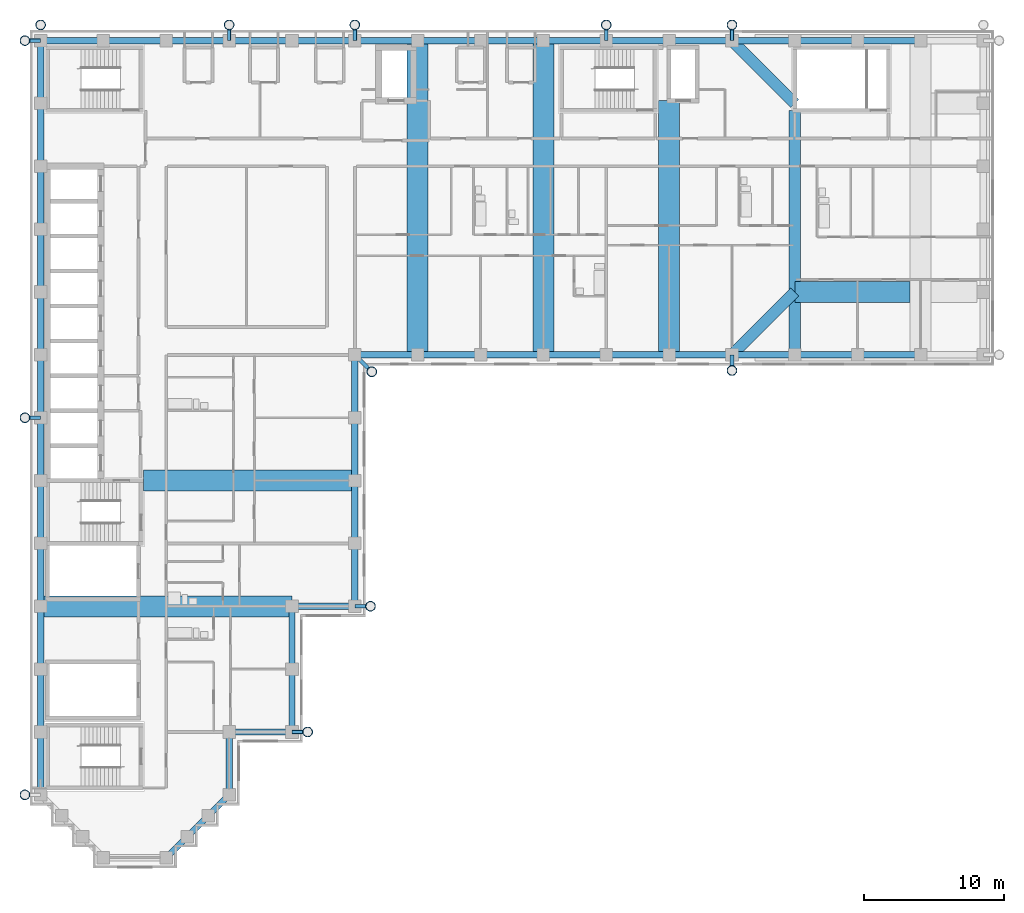
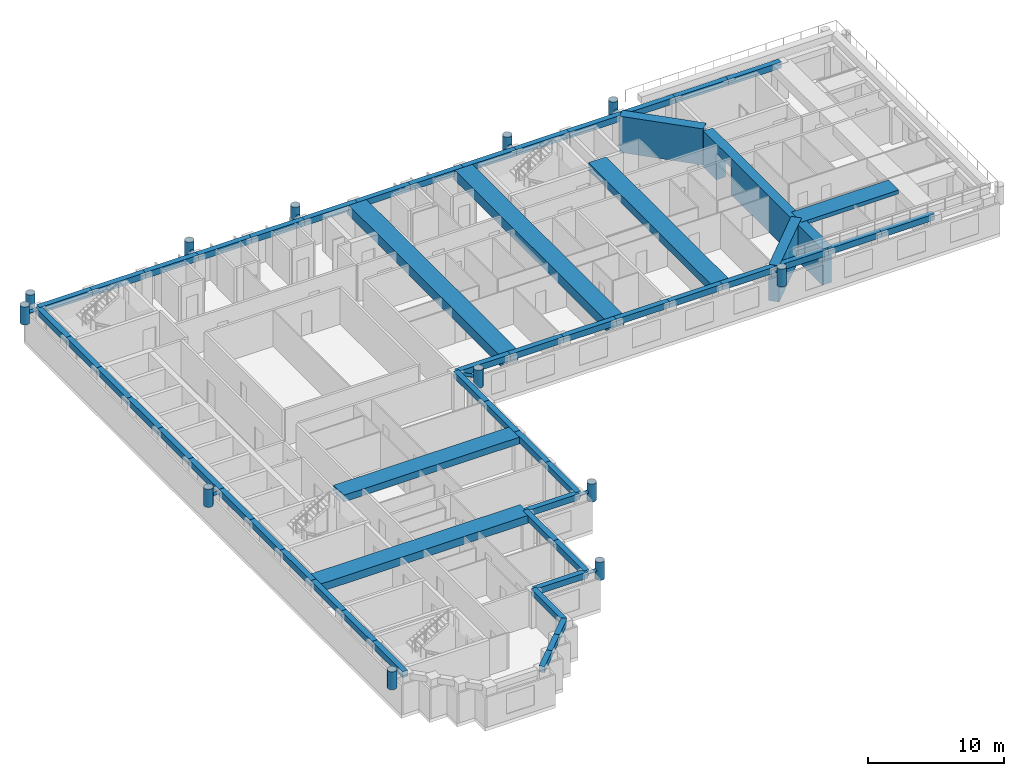
# One storey, part 2 of 14: 56 beams, 22 members.
"""IFC4 building model written with IfcOpenShell, lengths in metres."""

from ifc_helpers import new_model, entity, si_unit, direction, frame, origin, origin_2d, place, context, subcontext, project, spatial, rectangle, hollow_circle, extrude, boolean, material, material_profile, profile_set, type_object, element, save


model = new_model("IFC4")

# Units and contexts
model_context = context("Model", 3, precision=1e-05, world=origin(), true_north=direction((0.0, 1.0)))
body_context = subcontext(model_context, "Body", "Model", "MODEL_VIEW")
ifc_project = project(units=[si_unit("LENGTHUNIT", "METRE"), si_unit("AREAUNIT", "SQUARE_METRE"), si_unit("VOLUMEUNIT", "CUBIC_METRE"), si_unit("PLANEANGLEUNIT", "RADIAN"), si_unit("MASSUNIT", "GRAM", prefix="KILO")], contexts=[model_context])

# Site, building, storey
site_placement = place(None, origin())
site = spatial("IfcSite", under=ifc_project, at=site_placement, CompositionType="ELEMENT")
building_placement = place(site_placement, origin())
building = spatial("IfcBuilding", under=site, at=building_placement, Name="Firuza Court", CompositionType="ELEMENT")
storey_placement = place(building_placement, frame((0.0, 0.0, 182.60009765625)))
storey = spatial("IfcBuildingStorey", under=building, at=storey_placement, Name="L46", CompositionType="ELEMENT", Elevation=182.60009765625)

# Beams
ifc_material_1 = material(Name="Concrete C40/50", Category="concrete")
ifc_material_profile_1 = material_profile(ifc_material_1, rectangle(XDim=1.5, YDim=0.35009765625, at=origin_2d()), Name="RC 1500x350")
ifc_profile_set_1 = profile_set([ifc_material_profile_1], Name="Concrete C40/50")
beam_type_1 = type_object("IfcBeamType", Name="Band beam RC 1500x350 C40/50", PredefinedType="BEAM", material=ifc_profile_set_1)
beam_1_placement = place(storey_placement, frame((54.0, 40.5, 3.074951171875), z_axis=(1.0, 0.0, 0.0), x_axis=(0.0, 1.0, 0.0)))
element("IfcBeam", 1, at=beam_1_placement, inside=storey, type_object=beam_type_1, Name="Band beam FB7 level L47", PredefinedType="BEAM", context=body_context, shape_type="SweptSolid", body=[
    extrude(rectangle(XDim=1.5, YDim=0.35009765625, at=origin_2d()), origin(), (0.0, 0.0, 1.0), 8.25),
])
ifc_material_2 = material(Name="Concrete C40/50", Category="concrete")
ifc_material_profile_2 = material_profile(ifc_material_2, rectangle(XDim=1.5, YDim=0.60009765625, at=origin_2d()), Name="RC 1500x600")
ifc_profile_set_2 = profile_set([ifc_material_profile_2], Name="Concrete C40/50")
beam_type_2 = type_object("IfcBeamType", Name="Band beam RC 1500x600 C40/50", PredefinedType="BEAM", material=ifc_profile_set_2)
beam_2_placement = place(storey_placement, frame((22.5, 27.0, 2.949951171875), z_axis=(-1.0, 0.0, 0.0), x_axis=(0.0, -1.0, 0.0)))
element("IfcBeam", 2, at=beam_2_placement, inside=storey, type_object=beam_type_2, Name="Band beam FB3 level L47", PredefinedType="BEAM", context=body_context, shape_type="SweptSolid", body=[
    extrude(rectangle(XDim=1.5, YDim=0.60009765625, at=origin_2d()), origin(), (0.0, 0.0, 1.0), 15.14990234375),
])
ifc_material_3 = material(Name="Concrete C40/50", Category="concrete")
ifc_material_profile_3 = material_profile(ifc_material_3, rectangle(XDim=1.5, YDim=0.699951171875, at=origin_2d()), Name="RC 1500x700")
ifc_profile_set_3 = profile_set([ifc_material_profile_3], Name="Concrete C40/50")
beam_type_3 = type_object("IfcBeamType", Name="Band beam RC 1500x700 C40/50", PredefinedType="BEAM", material=ifc_profile_set_3)
beam_3_placement = place(storey_placement, frame((0.0, 18.0, 2.89990234375), z_axis=(1.0, 0.0, 0.0), x_axis=(0.0, 1.0, 0.0)))
element("IfcBeam", 3, at=beam_3_placement, inside=storey, type_object=beam_type_3, Name="Band beam FB1 level L47", PredefinedType="BEAM", context=body_context, shape_type="SweptSolid", body=[
    extrude(rectangle(XDim=1.5, YDim=0.699951171875, at=origin_2d()), origin(), (0.0, 0.0, 1.0), 18.0),
])
beam_4_placement = place(storey_placement, frame((45.0, 36.0, 2.89990234375), z_axis=(0.0, 1.0, 0.0), x_axis=(-1.0, 0.0, 0.0)))
element("IfcBeam", 4, at=beam_4_placement, inside=storey, type_object=beam_type_3, Name="Band beam FB1 level L47", PredefinedType="BEAM", context=body_context, shape_type="SweptSolid", body=[
    extrude(rectangle(XDim=1.5, YDim=0.699951171875, at=origin_2d()), origin(), (0.0, 0.0, 1.0), 18.199951171875),
])
ifc_material_4 = material(Name="Concrete C40/50", Category="concrete")
ifc_material_profile_4 = material_profile(ifc_material_4, rectangle(XDim=1.5, YDim=0.89990234375, at=origin_2d()), Name="RC 1500x900")
ifc_profile_set_4 = profile_set([ifc_material_profile_4], Name="Concrete C40/50")
beam_type_4 = type_object("IfcBeamType", Name="Band beam RC 1500x900 C40/50", PredefinedType="BEAM", material=ifc_profile_set_4)
for number, where, z_axis, x_axis, name in (
    (5, (27.0, 36.0, 2.7998046875), (0.0, 1.0, 0.0), (-1.0, 0.0, 0.0), "Band beam FB2 level L47"),
    (6, (36.0, 36.0, 2.7998046875), (0.0, 1.0, 0.0), (-1.0, 0.0, 0.0), "Band beam FB2 level L47"),
):
    element("IfcBeam", number, at=place(storey_placement, frame(where, z_axis=z_axis, x_axis=x_axis)), inside=storey, type_object=beam_type_4, Name=name, PredefinedType="BEAM", context=body_context, shape_type="SweptSolid", body=[
        extrude(rectangle(XDim=1.5, YDim=0.89990234375, at=origin_2d()), origin(), (0.0, 0.0, 1.0), 22.5),
    ])

# Members
ifc_material_5 = material(Name="Steel S355", Category="steel")
ifc_material_profile_5 = material_profile(ifc_material_5, hollow_circle(Radius=0.35546875, WallThickness=0.030029296875, at=origin_2d()), Name="CHS 711x30")
ifc_profile_set_5 = profile_set([ifc_material_profile_5], Name="Steel S355")
member_type_1 = type_object("IfcMemberType", Name="Diagrid node CHS 711x30 S355", PredefinedType="USERDEFINED", material=ifc_profile_set_5)
for number, where, z_axis, x_axis, name in (
    (7, (-1.1201171875, 4.5, 2.199951171875), (0.0, 0.0, 1.0), (1.0, 0.0, 0.0), "Diagrid node level L46"),
    (8, (-1.1201171875, 31.5, 2.199951171875), (0.0, 0.0, 1.0), (1.0, 0.0, 0.0), "Diagrid node level L46"),
    (9, (-1.1201171875, 58.5, 2.199951171875), (0.0, 0.0, 1.0), (1.0, 0.0, 0.0), "Diagrid node level L46"),
    (10, (0.0, 59.6201171875, 2.199951171875), (0.0, 0.0, 1.0), (1.0, 0.0, 0.0), "Diagrid node level L46"),
    (11, (13.5, 59.6201171875, 2.199951171875), (0.0, 0.0, 1.0), (1.0, 0.0, 0.0), "Diagrid node level L46"),
    (12, (19.1201171875, 9.0, 2.199951171875), (0.0, 0.0, 1.0), (1.0, 0.0, 0.0), "Diagrid node level L46"),
    (13, (22.5, 59.6201171875, 2.199951171875), (0.0, 0.0, 1.0), (1.0, 0.0, 0.0), "Diagrid node level L46"),
    (14, (23.6201171875, 18.0, 2.199951171875), (0.0, 0.0, 1.0), (1.0, 0.0, 0.0), "Diagrid node level L46"),
    (15, (23.7099609375, 34.7900390625, 2.199951171875), (0.0, 0.0, 1.0), (1.0, 0.0, 0.0), "Diagrid node level L46"),
    (16, (40.5, 59.6201171875, 2.199951171875), (0.0, 0.0, 1.0), (1.0, 0.0, 0.0), "Diagrid node level L46"),
    (17, (49.5, 34.8798828125, 2.199951171875), (0.0, 0.0, 1.0), (1.0, 0.0, 0.0), "Diagrid node level L46"),
    (18, (49.5, 59.6201171875, 2.199951171875), (0.0, 0.0, 1.0), (1.0, 0.0, 0.0), "Diagrid node level L46"),
):
    element("IfcMember", number, at=place(storey_placement, frame(where, z_axis=z_axis, x_axis=x_axis)), inside=storey, type_object=member_type_1, Name=name, ObjectType="DIAGRID NODE", PredefinedType="USERDEFINED", context=body_context, shape_type="SweptSolid", body=[
        extrude(hollow_circle(Radius=0.35546875, WallThickness=0.030029296875, at=origin_2d()), origin(), (0.0, 0.0, 1.0), 1.599853515625),
    ])
ifc_material_6 = material(Name="Steel S355", Category="steel")
ifc_material_profile_6 = material_profile(ifc_material_6, hollow_circle(Radius=0.136474609375, WallThickness=0.012451171875, at=origin_2d()), Name="CHS 273x12.5")
ifc_profile_set_6 = profile_set([ifc_material_profile_6], Name="Steel S355")
member_type_2 = type_object("IfcMemberType", Name="Diagrid tie CHS 273x12.5 S355", PredefinedType="STRUT", material=ifc_profile_set_6)
for number, where, z_axis, x_axis, name in (
    (19, (0.0, 31.5, 3.0), (-1.0, 0.0, 0.0), (0.0, -1.0, 0.0), "Diagrid tie level L47"),
    (20, (0.0, 58.5, 3.0), (-1.0, 0.0, 0.0), (0.0, -1.0, 0.0), "Diagrid tie level L47"),
    (21, (13.5, 58.5, 3.0), (0.0, 1.0, 0.0), (-1.0, 0.0, 0.0), "Diagrid tie level L47"),
    (22, (18.0, 9.0, 3.0), (1.0, 0.0, 0.0), (0.0, 1.0, 0.0), "Diagrid tie level L47"),
    (23, (22.5, 18.0, 3.0), (1.0, 0.0, 0.0), (0.0, 1.0, 0.0), "Diagrid tie level L47"),
):
    element("IfcMember", number, at=place(storey_placement, frame(where, z_axis=z_axis, x_axis=x_axis)), inside=storey, type_object=member_type_2, Name=name, PredefinedType="STRUT", context=body_context, shape_type="SweptSolid", body=[
        extrude(hollow_circle(Radius=0.136474609375, WallThickness=0.012451171875, at=origin_2d()), origin(), (0.0, 0.0, 1.0), 1.1201171875),
    ])
member_placement = place(storey_placement, frame((22.5, 36.0, 3.0), z_axis=(0.707106781187, -0.707106781187, 0.0), x_axis=(0.707106781187, 0.707106781187, 0.0)))
element("IfcMember", 24, at=member_placement, inside=storey, type_object=member_type_2, Name="Diagrid tie level L47", PredefinedType="STRUT", context=body_context, shape_type="SweptSolid", body=[
    extrude(hollow_circle(Radius=0.136474609375, WallThickness=0.012451171875, at=origin_2d()), origin(), (0.0, 0.0, 1.0), 1.711181640625),
])
for number, where, z_axis, x_axis, name in (
    (25, (40.5, 58.5, 3.0), (0.0, 1.0, 0.0), (-1.0, 0.0, 0.0), "Diagrid tie level L47"),
    (26, (49.5, 36.0, 3.0), (0.0, -1.0, 0.0), (1.0, 0.0, 0.0), "Diagrid tie level L47"),
    (27, (22.5, 58.5, 3.0), (0.0, 1.0, 0.0), (-1.0, 0.0, 0.0), "Diagrid tie level L47"),
    (28, (49.5, 58.5, 3.0), (0.0, 1.0, 0.0), (-1.0, 0.0, 0.0), "Diagrid tie level L47"),
):
    element("IfcMember", number, at=place(storey_placement, frame(where, z_axis=z_axis, x_axis=x_axis)), inside=storey, type_object=member_type_2, Name=name, PredefinedType="STRUT", context=body_context, shape_type="SweptSolid", body=[
        extrude(hollow_circle(Radius=0.136474609375, WallThickness=0.012451171875, at=origin_2d()), origin(), (0.0, 0.0, 1.0), 1.1201171875),
    ])

# Beams
ifc_material_7 = material(Name="Concrete C40/50", Category="concrete")
ifc_material_profile_7 = material_profile(ifc_material_7, rectangle(XDim=0.449951171875, YDim=0.550048828125, at=origin_2d()), Name="RC 450x550")
ifc_profile_set_7 = profile_set([ifc_material_profile_7], Name="Concrete C40/50")
beam_type_5 = type_object("IfcBeamType", Name="Spandrel beam RC 450x550 C40/50", PredefinedType="BEAM", material=ifc_profile_set_7)
for number, where, z_axis, x_axis, name in (
    (29, (0.0, 9.0, 2.974853515625), (0.0, -1.0, 0.0), (1.0, 0.0, 0.0), "Spandrel beam SP16 level L47"),
    (30, (0.0, 13.5, 2.974853515625), (0.0, -1.0, 0.0), (1.0, 0.0, 0.0), "Spandrel beam SP16 level L47"),
    (31, (0.0, 18.0, 2.974853515625), (0.0, -1.0, 0.0), (1.0, 0.0, 0.0), "Spandrel beam SP16 level L47"),
    (32, (0.0, 22.5, 2.974853515625), (0.0, -1.0, 0.0), (1.0, 0.0, 0.0), "Spandrel beam SP16 level L47"),
    (33, (0.0, 27.0, 2.974853515625), (0.0, -1.0, 0.0), (1.0, 0.0, 0.0), "Spandrel beam SP16 level L47"),
    (34, (0.0, 31.5, 2.974853515625), (0.0, -1.0, 0.0), (1.0, 0.0, 0.0), "Spandrel beam SP16 level L47"),
    (35, (0.0, 36.0, 2.974853515625), (0.0, -1.0, 0.0), (1.0, 0.0, 0.0), "Spandrel beam SP16 level L47"),
    (36, (0.0, 40.5, 2.974853515625), (0.0, -1.0, 0.0), (1.0, 0.0, 0.0), "Spandrel beam SP16 level L47"),
    (37, (0.0, 45.0, 2.974853515625), (0.0, -1.0, 0.0), (1.0, 0.0, 0.0), "Spandrel beam SP16 level L47"),
    (38, (0.0, 49.5, 2.974853515625), (0.0, -1.0, 0.0), (1.0, 0.0, 0.0), "Spandrel beam SP16 level L47"),
    (39, (0.0, 54.0, 2.974853515625), (0.0, -1.0, 0.0), (1.0, 0.0, 0.0), "Spandrel beam SP16 level L47"),
    (40, (0.0, 58.5, 2.974853515625), (0.0, -1.0, 0.0), (1.0, 0.0, 0.0), "Spandrel beam SP16 level L47"),
    (41, (4.5, 58.5, 2.974853515625), (-1.0, 0.0, 0.0), (0.0, -1.0, 0.0), "Spandrel beam SP16 level L47"),
):
    element("IfcBeam", number, at=place(storey_placement, frame(where, z_axis=z_axis, x_axis=x_axis)), inside=storey, type_object=beam_type_5, Name=name, PredefinedType="BEAM", context=body_context, shape_type="SweptSolid", body=[
        extrude(rectangle(XDim=0.449951171875, YDim=0.550048828125, at=origin_2d()), origin(), (0.0, 0.0, 1.0), 4.5),
    ])
beam_5_placement = place(storey_placement, frame((9.0, 0.0, 2.974853515625), z_axis=(0.707106781187, 0.707106781187, 0.0), x_axis=(-0.707106781187, 0.707106781187, 0.0)))
element("IfcBeam", 42, at=beam_5_placement, inside=storey, type_object=beam_type_5, Name="Spandrel beam SP16 level L47", PredefinedType="BEAM", context=body_context, shape_type="SweptSolid", body=[
    extrude(rectangle(XDim=0.449951171875, YDim=0.550048828125, at=origin_2d()), origin(), (0.0, 0.0, 1.0), 2.121337890625),
])
beam_6_placement = place(storey_placement, frame((9.0, 58.5, 2.974853515625), z_axis=(-1.0, 0.0, 0.0), x_axis=(0.0, -1.0, 0.0)))
element("IfcBeam", 43, at=beam_6_placement, inside=storey, type_object=beam_type_5, Name="Spandrel beam SP16 level L47", PredefinedType="BEAM", context=body_context, shape_type="SweptSolid", body=[
    extrude(rectangle(XDim=0.449951171875, YDim=0.550048828125, at=origin_2d()), origin(), (0.0, 0.0, 1.0), 4.5),
])
for number, where, z_axis, x_axis, name in (
    (44, (10.5, 1.5, 2.974853515625), (0.707106781187, 0.707106781187, 0.0), (-0.707106781187, 0.707106781187, 0.0), "Spandrel beam SP16 level L47"),
    (45, (12.0, 3.0, 2.974853515625), (0.707106781187, 0.707106781187, 0.0), (-0.707106781187, 0.707106781187, 0.0), "Spandrel beam SP16 level L47"),
):
    element("IfcBeam", number, at=place(storey_placement, frame(where, z_axis=z_axis, x_axis=x_axis)), inside=storey, type_object=beam_type_5, Name=name, PredefinedType="BEAM", context=body_context, shape_type="SweptSolid", body=[
        extrude(rectangle(XDim=0.449951171875, YDim=0.550048828125, at=origin_2d()), origin(), (0.0, 0.0, 1.0), 2.121337890625),
    ])
for number, where, z_axis, x_axis, name in (
    (46, (13.5, 4.5, 2.974853515625), (0.0, 1.0, 0.0), (-1.0, 0.0, 0.0), "Spandrel beam SP16 level L47"),
    (47, (13.5, 9.0, 2.974853515625), (1.0, 0.0, 0.0), (0.0, 1.0, 0.0), "Spandrel beam SP16 level L47"),
    (48, (13.5, 58.5, 2.974853515625), (-1.0, 0.0, 0.0), (0.0, -1.0, 0.0), "Spandrel beam SP16 level L47"),
    (49, (18.0, 9.0, 2.974853515625), (0.0, 1.0, 0.0), (-1.0, 0.0, 0.0), "Spandrel beam SP16 level L47"),
    (50, (18.0, 13.5, 2.974853515625), (0.0, 1.0, 0.0), (-1.0, 0.0, 0.0), "Spandrel beam SP16 level L47"),
    (51, (18.0, 18.0, 2.974853515625), (1.0, 0.0, 0.0), (0.0, 1.0, 0.0), "Spandrel beam SP16 level L47"),
    (52, (18.0, 58.5, 2.974853515625), (-1.0, 0.0, 0.0), (0.0, -1.0, 0.0), "Spandrel beam SP16 level L47"),
    (53, (22.5, 18.0, 2.974853515625), (0.0, 1.0, 0.0), (-1.0, 0.0, 0.0), "Spandrel beam SP16 level L47"),
    (54, (22.5, 22.5, 2.974853515625), (0.0, 1.0, 0.0), (-1.0, 0.0, 0.0), "Spandrel beam SP16 level L47"),
    (55, (22.5, 27.0, 2.974853515625), (0.0, 1.0, 0.0), (-1.0, 0.0, 0.0), "Spandrel beam SP16 level L47"),
    (56, (22.5, 31.5, 2.974853515625), (0.0, 1.0, 0.0), (-1.0, 0.0, 0.0), "Spandrel beam SP16 level L47"),
    (57, (22.5, 36.0, 2.974853515625), (1.0, 0.0, 0.0), (0.0, 1.0, 0.0), "Spandrel beam SP16 level L47"),
    (58, (22.5, 58.5, 2.974853515625), (-1.0, 0.0, 0.0), (0.0, -1.0, 0.0), "Spandrel beam SP16 level L47"),
    (59, (27.0, 36.0, 2.974853515625), (1.0, 0.0, 0.0), (0.0, 1.0, 0.0), "Spandrel beam SP16 level L47"),
    (60, (27.0, 58.5, 2.974853515625), (-1.0, 0.0, 0.0), (0.0, -1.0, 0.0), "Spandrel beam SP16 level L47"),
    (61, (31.5, 36.0, 2.974853515625), (1.0, 0.0, 0.0), (0.0, 1.0, 0.0), "Spandrel beam SP16 level L47"),
    (62, (31.5, 58.5, 2.974853515625), (-1.0, 0.0, 0.0), (0.0, -1.0, 0.0), "Spandrel beam SP16 level L47"),
    (63, (36.0, 36.0, 2.974853515625), (1.0, 0.0, 0.0), (0.0, 1.0, 0.0), "Spandrel beam SP16 level L47"),
    (64, (36.0, 58.5, 2.974853515625), (-1.0, 0.0, 0.0), (0.0, -1.0, 0.0), "Spandrel beam SP16 level L47"),
    (65, (40.5, 36.0, 2.974853515625), (1.0, 0.0, 0.0), (0.0, 1.0, 0.0), "Spandrel beam SP16 level L47"),
    (66, (40.5, 58.5, 2.974853515625), (-1.0, 0.0, 0.0), (0.0, -1.0, 0.0), "Spandrel beam SP16 level L47"),
    (67, (45.0, 36.0, 2.974853515625), (1.0, 0.0, 0.0), (0.0, 1.0, 0.0), "Spandrel beam SP16 level L47"),
    (68, (45.0, 58.5, 2.974853515625), (-1.0, 0.0, 0.0), (0.0, -1.0, 0.0), "Spandrel beam SP16 level L47"),
    (69, (49.5, 36.0, 2.974853515625), (1.0, 0.0, 0.0), (0.0, 1.0, 0.0), "Spandrel beam SP16 level L47"),
    (70, (49.5, 58.5, 2.974853515625), (-1.0, 0.0, 0.0), (0.0, -1.0, 0.0), "Spandrel beam SP16 level L47"),
    (71, (54.0, 36.0, 2.974853515625), (1.0, 0.0, 0.0), (0.0, 1.0, 0.0), "Spandrel beam SP16 level L47"),
    (72, (54.0, 58.5, 2.974853515625), (-1.0, 0.0, 0.0), (0.0, -1.0, 0.0), "Spandrel beam SP16 level L47"),
    (73, (58.5, 36.0, 2.974853515625), (1.0, 0.0, 0.0), (0.0, 1.0, 0.0), "Spandrel beam SP16 level L47"),
    (74, (58.5, 58.5, 2.974853515625), (-1.0, 0.0, 0.0), (0.0, -1.0, 0.0), "Spandrel beam SP16 level L47"),
    (75, (63.0, 58.5, 2.974853515625), (-1.0, 0.0, 0.0), (0.0, -1.0, 0.0), "Spandrel beam SP16 level L47"),
):
    element("IfcBeam", number, at=place(storey_placement, frame(where, z_axis=z_axis, x_axis=x_axis)), inside=storey, type_object=beam_type_5, Name=name, PredefinedType="BEAM", context=body_context, shape_type="SweptSolid", body=[
        extrude(rectangle(XDim=0.449951171875, YDim=0.550048828125, at=origin_2d()), origin(), (0.0, 0.0, 1.0), 4.5),
    ])
ifc_material_8 = material(Name="Concrete C60/75", Category="concrete")
ifc_material_profile_8 = material_profile(ifc_material_8, rectangle(XDim=0.800048828125, YDim=3.25, at=origin_2d()), Name="RC 800x3250")
ifc_profile_set_8 = profile_set([ifc_material_profile_8], Name="Concrete C60/75")
beam_type_6 = type_object("IfcBeamType", Name="Transfer girder RC 800x3250 C60/75", PredefinedType="USERDEFINED", material=ifc_profile_set_8)
for number, where, z_axis, x_axis, name in (
    (76, (49.5, 36.0, 1.625), (0.707106781187, 0.707106781187, 0.0), (-0.707106781187, 0.707106781187, 0.0), "Transfer girder TG4 level L47"),
    (77, (54.0, 54.0, 1.625), (-0.707106781187, 0.707106781187, 0.0), (-0.707106781187, -0.707106781187, 0.0), "Transfer girder TG4 level L47"),
):
    element("IfcBeam", number, at=place(storey_placement, frame(where, z_axis=z_axis, x_axis=x_axis)), inside=storey, type_object=beam_type_6, Name=name, ObjectType="TRANSFER GIRDER", PredefinedType="USERDEFINED", context=body_context, shape_type="SweptSolid", body=[
        extrude(rectangle(XDim=0.800048828125, YDim=3.25, at=origin_2d()), origin(), (0.0, 0.0, 1.0), 6.364013671875),
    ])
ifc_material_9 = material(Name="Concrete C70/85", Category="concrete")
ifc_material_profile_9 = material_profile(ifc_material_9, rectangle(XDim=0.800048828125, YDim=3.25, at=origin_2d()), Name="RC 800x3250")
ifc_profile_set_9 = profile_set([ifc_material_profile_9], Name="Concrete C70/85")
beam_type_7 = type_object("IfcBeamType", Name="Transfer girder RC 800x3250 C70/85", PredefinedType="USERDEFINED", material=ifc_profile_set_9)
beam_7_placement = place(storey_placement, frame((54.0, 36.0, 1.625), z_axis=(0.0, 1.0, 0.0), x_axis=(-1.0, 0.0, 0.0)))
element("IfcBeam", 78, at=beam_7_placement, inside=storey, type_object=beam_type_7, Name="Transfer girder TG5 level L47", ObjectType="TRANSFER GIRDER", PredefinedType="USERDEFINED", context=body_context, shape_type="Clipping", body=[
    boolean("DIFFERENCE", extrude(rectangle(XDim=0.800048828125, YDim=3.25, at=origin_2d()), origin(), (0.0, 0.0, 1.0), 17.5), entity("IfcBlock", entity("IfcAxis2Placement3D", entity("IfcCartesianPoint", [-0.4100244140625, -1.635, 13.4])), 0.820048828125, 2.4099999999999997, 2.2)),
])

save(model, "model.ifc")
